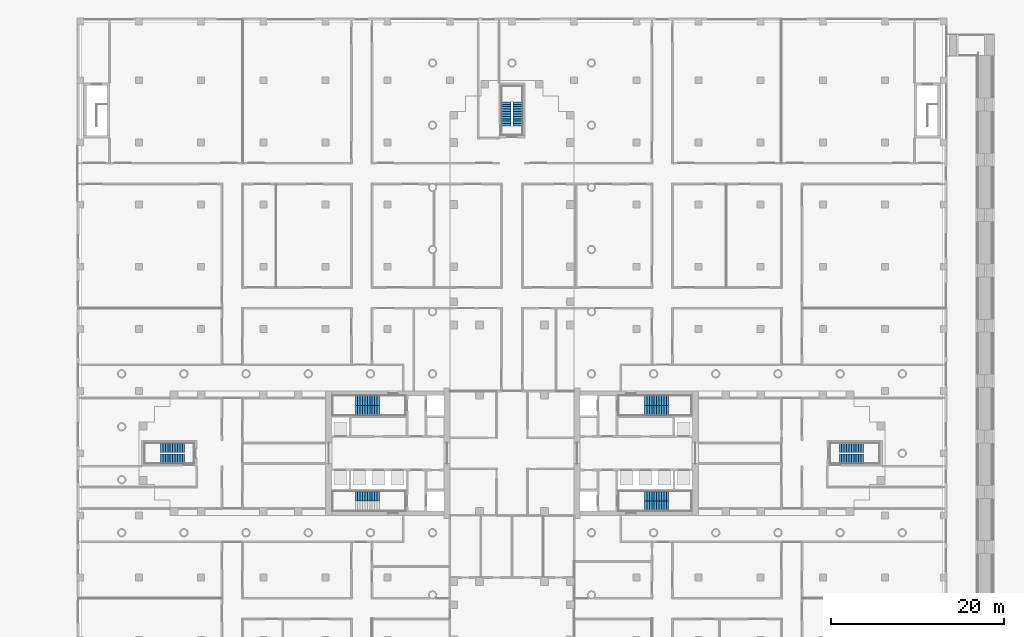
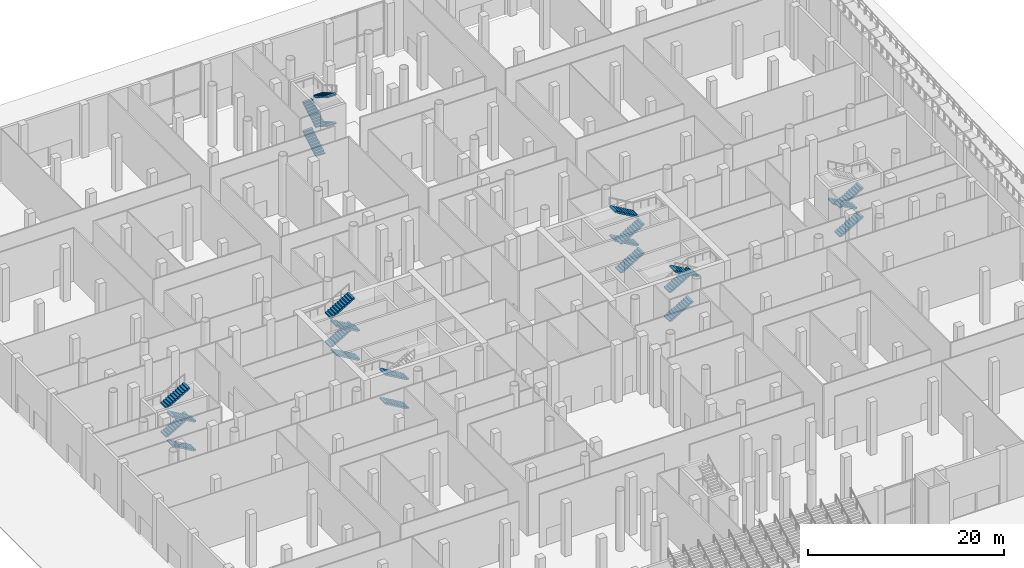
# One storey, part 33 of 44: 24 stair flights, 7 elements without a shape of their own.
"""IFC4 building model written with IfcOpenShell, lengths in metres."""

from ifc_helpers import new_model, si_unit, direction, frame, origin, place, context, subcontext, project, spatial, polyline, outline, extrude, material, type_object, element, aggregate, save


model = new_model("IFC4")

# Units and contexts
model_context = context("Model", 3, precision=1e-05, world=origin(), true_north=direction((0.0, 1.0)))
body_context = subcontext(model_context, "Body", "Model", "MODEL_VIEW")
ifc_project = project(units=[si_unit("LENGTHUNIT", "METRE"), si_unit("AREAUNIT", "SQUARE_METRE"), si_unit("VOLUMEUNIT", "CUBIC_METRE"), si_unit("PLANEANGLEUNIT", "RADIAN"), si_unit("MASSUNIT", "GRAM", prefix="KILO")], contexts=[model_context])

# Site, building, storey
site_placement = place(None, origin())
site = spatial("IfcSite", under=ifc_project, at=site_placement, CompositionType="ELEMENT")
building_placement = place(site_placement, origin())
building = spatial("IfcBuilding", under=site, at=building_placement, Name="Fustian Cross Tower", CompositionType="ELEMENT")
storey_placement = place(building_placement, origin())
storey = spatial("IfcBuildingStorey", under=building, at=storey_placement, Name="L00", CompositionType="ELEMENT", Elevation=0.0)

# Stair, stair flights
ifc_material_1 = material(Name="Concrete C50/60", Category="concrete")
stair_type_1 = type_object("IfcStairType", Name="STAIR 1100 HALF TURN", PredefinedType="HALF_TURN_STAIR", material=ifc_material_1)
stair_1_placement = place(storey_placement, origin())
stair_1 = element("IfcStair", 1, at=stair_1_placement, inside=storey, type_object=stair_type_1, Name="Stair ST5", PredefinedType="HALF_TURN_STAIR")
ifc_material_2 = material(Name="Concrete C50/60", Category="concrete")
stair_flight_type_1 = type_object("IfcStairFlightType", Name="STAIR FLIGHT 1100", PredefinedType="STRAIGHT", material=ifc_material_2)
stair_flight_1_placement = place(storey_placement, frame((-0.64990234375, 37.89990234375, 0.0), z_axis=(0.0, 0.0, 1.0), x_axis=(0.0, 1.0, 0.0)))
stair_flight_1 = element("IfcStairFlight", 2, at=stair_flight_1_placement, type_object=stair_flight_type_1, Name="ST5 flight 1", NumberOfRisers=11, NumberOfTreads=10, PredefinedType="STRAIGHT", RiserHeight=0.163636364, TreadLength=0.28, context=body_context, shape_type="SweptSolid", body=[
    extrude(outline(polyline([(0.0, 0.0), (0.0, 0.16357421875), (0.280029296875, 0.16357421875), (0.280029296875, 0.327392578125), (0.56005859375, 0.327392578125), (0.56005859375, 0.490966796875), (0.840087890625, 0.490966796875), (0.840087890625, 0.654541015625), (1.1201171875, 0.654541015625), (1.1201171875, 0.818115234375), (1.39990234375, 0.818115234375), (1.39990234375, 0.98193359375), (1.679931640625, 0.98193359375), (1.679931640625, 1.1455078125), (1.9599609375, 1.1455078125), (1.9599609375, 1.30908203125), (2.239990234375, 1.30908203125), (2.239990234375, 1.47265625), (2.52001953125, 1.47265625), (2.52001953125, 1.636474609375), (2.800048828125, 1.636474609375), (2.800048828125, 1.800048828125), (2.800048828125, 1.462646484375), (0.297119140625, 0.0), (0.0, 0.0)])), frame((0.0, 0.550048828125, 0.0), z_axis=(0.0, -1.0, 0.0), x_axis=(1.0, 0.0, 0.0)), (0.0, 0.0, 1.0), 1.10009765625),
])
stair_flight_2_placement = place(storey_placement, frame((0.64990234375, 40.699951171875, 1.800048828125), z_axis=(0.0, 0.0, 1.0), x_axis=(0.0, -1.0, 0.0)))
stair_flight_2 = element("IfcStairFlight", 3, at=stair_flight_2_placement, type_object=stair_flight_type_1, Name="ST5 flight 2", NumberOfRisers=11, NumberOfTreads=10, PredefinedType="STRAIGHT", RiserHeight=0.163636364, TreadLength=0.28, context=body_context, shape_type="SweptSolid", body=[
    extrude(outline(polyline([(0.0, 0.0), (0.0, 0.16357421875), (0.280029296875, 0.16357421875), (0.280029296875, 0.327392578125), (0.56005859375, 0.327392578125), (0.56005859375, 0.490966796875), (0.840087890625, 0.490966796875), (0.840087890625, 0.654541015625), (1.1201171875, 0.654541015625), (1.1201171875, 0.818115234375), (1.39990234375, 0.818115234375), (1.39990234375, 0.98193359375), (1.679931640625, 0.98193359375), (1.679931640625, 1.1455078125), (1.9599609375, 1.1455078125), (1.9599609375, 1.30908203125), (2.239990234375, 1.30908203125), (2.239990234375, 1.47265625), (2.52001953125, 1.47265625), (2.52001953125, 1.636474609375), (2.800048828125, 1.636474609375), (2.800048828125, 1.800048828125), (2.800048828125, 1.462646484375), (0.297119140625, 0.0), (0.0, 0.0)])), frame((0.0, 0.550048828125, 0.0), z_axis=(0.0, -1.0, 0.0), x_axis=(1.0, 0.0, 0.0)), (0.0, 0.0, 1.0), 1.10009765625),
])
stair_flight_3_placement = place(storey_placement, frame((-0.64990234375, 37.89990234375, 3.60009765625), z_axis=(0.0, 0.0, 1.0), x_axis=(0.0, 1.0, 0.0)))
stair_flight_3 = element("IfcStairFlight", 4, at=stair_flight_3_placement, type_object=stair_flight_type_1, Name="ST5 flight 3", NumberOfRisers=11, NumberOfTreads=10, PredefinedType="STRAIGHT", RiserHeight=0.163636364, TreadLength=0.28, context=body_context, shape_type="SweptSolid", body=[
    extrude(outline(polyline([(0.0, 0.0), (0.0, 0.16357421875), (0.280029296875, 0.16357421875), (0.280029296875, 0.327392578125), (0.56005859375, 0.327392578125), (0.56005859375, 0.490966796875), (0.840087890625, 0.490966796875), (0.840087890625, 0.654541015625), (1.1201171875, 0.654541015625), (1.1201171875, 0.818115234375), (1.39990234375, 0.818115234375), (1.39990234375, 0.98193359375), (1.679931640625, 0.98193359375), (1.679931640625, 1.1455078125), (1.9599609375, 1.1455078125), (1.9599609375, 1.30908203125), (2.239990234375, 1.30908203125), (2.239990234375, 1.47265625), (2.52001953125, 1.47265625), (2.52001953125, 1.636474609375), (2.800048828125, 1.636474609375), (2.800048828125, 1.800048828125), (2.800048828125, 1.462646484375), (0.297119140625, 0.0), (0.0, 0.0)])), frame((0.0, 0.550048828125, 0.0), z_axis=(0.0, -1.0, 0.0), x_axis=(1.0, 0.0, 0.0)), (0.0, 0.0, 1.0), 1.10009765625),
])
stair_flight_4_placement = place(storey_placement, frame((0.64990234375, 40.699951171875, 5.39990234375), z_axis=(0.0, 0.0, 1.0), x_axis=(0.0, -1.0, 0.0)))
stair_flight_4 = element("IfcStairFlight", 5, at=stair_flight_4_placement, type_object=stair_flight_type_1, Name="ST5 flight 4", NumberOfRisers=11, NumberOfTreads=10, PredefinedType="STRAIGHT", RiserHeight=0.163636364, TreadLength=0.28, context=body_context, shape_type="SweptSolid", body=[
    extrude(outline(polyline([(0.0, 0.0), (0.0, 0.16357421875), (0.280029296875, 0.16357421875), (0.280029296875, 0.327392578125), (0.56005859375, 0.327392578125), (0.56005859375, 0.490966796875), (0.840087890625, 0.490966796875), (0.840087890625, 0.654541015625), (1.1201171875, 0.654541015625), (1.1201171875, 0.818115234375), (1.39990234375, 0.818115234375), (1.39990234375, 0.98193359375), (1.679931640625, 0.98193359375), (1.679931640625, 1.1455078125), (1.9599609375, 1.1455078125), (1.9599609375, 1.30908203125), (2.239990234375, 1.30908203125), (2.239990234375, 1.47265625), (2.52001953125, 1.47265625), (2.52001953125, 1.636474609375), (2.800048828125, 1.636474609375), (2.800048828125, 1.800048828125), (2.800048828125, 1.462646484375), (0.297119140625, 0.0), (0.0, 0.0)])), frame((0.0, 0.550048828125, 0.0), z_axis=(0.0, -1.0, 0.0), x_axis=(1.0, 0.0, 0.0)), (0.0, 0.0, 1.0), 1.10009765625),
])
aggregate(stair_1, [stair_flight_1, stair_flight_2, stair_flight_3, stair_flight_4])

stair_2_placement = place(storey_placement, origin())
stair_2 = element("IfcStair", 6, at=stair_2_placement, inside=storey, type_object=stair_type_1, Name="Stair ST8", PredefinedType="HALF_TURN_STAIR")
stair_flight_5_placement = place(storey_placement, frame((37.89990234375, -0.64990234375, 0.0), z_axis=(0.0, 0.0, 1.0), x_axis=(1.0, 0.0, 0.0)))
stair_flight_5 = element("IfcStairFlight", 7, at=stair_flight_5_placement, type_object=stair_flight_type_1, Name="ST8 flight 1", NumberOfRisers=11, NumberOfTreads=10, PredefinedType="STRAIGHT", RiserHeight=0.163636364, TreadLength=0.28, context=body_context, shape_type="SweptSolid", body=[
    extrude(outline(polyline([(0.0, 0.0), (0.0, 0.16357421875), (0.280029296875, 0.16357421875), (0.280029296875, 0.327392578125), (0.56005859375, 0.327392578125), (0.56005859375, 0.490966796875), (0.840087890625, 0.490966796875), (0.840087890625, 0.654541015625), (1.1201171875, 0.654541015625), (1.1201171875, 0.818115234375), (1.39990234375, 0.818115234375), (1.39990234375, 0.98193359375), (1.679931640625, 0.98193359375), (1.679931640625, 1.1455078125), (1.9599609375, 1.1455078125), (1.9599609375, 1.30908203125), (2.239990234375, 1.30908203125), (2.239990234375, 1.47265625), (2.52001953125, 1.47265625), (2.52001953125, 1.636474609375), (2.800048828125, 1.636474609375), (2.800048828125, 1.800048828125), (2.800048828125, 1.462646484375), (0.297119140625, 0.0), (0.0, 0.0)])), frame((0.0, 0.550048828125, 0.0), z_axis=(0.0, -1.0, 0.0), x_axis=(1.0, 0.0, 0.0)), (0.0, 0.0, 1.0), 1.10009765625),
])
stair_flight_6_placement = place(storey_placement, frame((40.699951171875, 0.64990234375, 1.800048828125), z_axis=(0.0, 0.0, 1.0), x_axis=(-1.0, 0.0, 0.0)))
stair_flight_6 = element("IfcStairFlight", 8, at=stair_flight_6_placement, type_object=stair_flight_type_1, Name="ST8 flight 2", NumberOfRisers=11, NumberOfTreads=10, PredefinedType="STRAIGHT", RiserHeight=0.163636364, TreadLength=0.28, context=body_context, shape_type="SweptSolid", body=[
    extrude(outline(polyline([(0.0, 0.0), (0.0, 0.16357421875), (0.280029296875, 0.16357421875), (0.280029296875, 0.327392578125), (0.56005859375, 0.327392578125), (0.56005859375, 0.490966796875), (0.840087890625, 0.490966796875), (0.840087890625, 0.654541015625), (1.1201171875, 0.654541015625), (1.1201171875, 0.818115234375), (1.39990234375, 0.818115234375), (1.39990234375, 0.98193359375), (1.679931640625, 0.98193359375), (1.679931640625, 1.1455078125), (1.9599609375, 1.1455078125), (1.9599609375, 1.30908203125), (2.239990234375, 1.30908203125), (2.239990234375, 1.47265625), (2.52001953125, 1.47265625), (2.52001953125, 1.636474609375), (2.800048828125, 1.636474609375), (2.800048828125, 1.800048828125), (2.800048828125, 1.462646484375), (0.297119140625, 0.0), (0.0, 0.0)])), frame((0.0, 0.550048828125, 0.0), z_axis=(0.0, -1.0, 0.0), x_axis=(1.0, 0.0, 0.0)), (0.0, 0.0, 1.0), 1.10009765625),
])
stair_flight_7_placement = place(storey_placement, frame((37.89990234375, -0.64990234375, 3.60009765625), z_axis=(0.0, 0.0, 1.0), x_axis=(1.0, 0.0, 0.0)))
stair_flight_7 = element("IfcStairFlight", 9, at=stair_flight_7_placement, type_object=stair_flight_type_1, Name="ST8 flight 3", NumberOfRisers=11, NumberOfTreads=10, PredefinedType="STRAIGHT", RiserHeight=0.163636364, TreadLength=0.28, context=body_context, shape_type="SweptSolid", body=[
    extrude(outline(polyline([(0.0, 0.0), (0.0, 0.16357421875), (0.280029296875, 0.16357421875), (0.280029296875, 0.327392578125), (0.56005859375, 0.327392578125), (0.56005859375, 0.490966796875), (0.840087890625, 0.490966796875), (0.840087890625, 0.654541015625), (1.1201171875, 0.654541015625), (1.1201171875, 0.818115234375), (1.39990234375, 0.818115234375), (1.39990234375, 0.98193359375), (1.679931640625, 0.98193359375), (1.679931640625, 1.1455078125), (1.9599609375, 1.1455078125), (1.9599609375, 1.30908203125), (2.239990234375, 1.30908203125), (2.239990234375, 1.47265625), (2.52001953125, 1.47265625), (2.52001953125, 1.636474609375), (2.800048828125, 1.636474609375), (2.800048828125, 1.800048828125), (2.800048828125, 1.462646484375), (0.297119140625, 0.0), (0.0, 0.0)])), frame((0.0, 0.550048828125, 0.0), z_axis=(0.0, -1.0, 0.0), x_axis=(1.0, 0.0, 0.0)), (0.0, 0.0, 1.0), 1.10009765625),
])
aggregate(stair_2, [stair_flight_5, stair_flight_6, stair_flight_7])

stair_3_placement = place(storey_placement, origin())
stair_3 = element("IfcStair", 10, at=stair_3_placement, inside=storey, type_object=stair_type_1, Name="Stair ST9", PredefinedType="HALF_TURN_STAIR")
stair_flight_8_placement = place(storey_placement, frame((-37.89990234375, -0.64990234375, 0.0), z_axis=(0.0, 0.0, 1.0), x_axis=(-1.0, 0.0, 0.0)))
stair_flight_8 = element("IfcStairFlight", 11, at=stair_flight_8_placement, type_object=stair_flight_type_1, Name="ST9 flight 1", NumberOfRisers=11, NumberOfTreads=10, PredefinedType="STRAIGHT", RiserHeight=0.163636364, TreadLength=0.28, context=body_context, shape_type="SweptSolid", body=[
    extrude(outline(polyline([(0.0, 0.0), (0.0, 0.16357421875), (0.280029296875, 0.16357421875), (0.280029296875, 0.327392578125), (0.56005859375, 0.327392578125), (0.56005859375, 0.490966796875), (0.840087890625, 0.490966796875), (0.840087890625, 0.654541015625), (1.1201171875, 0.654541015625), (1.1201171875, 0.818115234375), (1.39990234375, 0.818115234375), (1.39990234375, 0.98193359375), (1.679931640625, 0.98193359375), (1.679931640625, 1.1455078125), (1.9599609375, 1.1455078125), (1.9599609375, 1.30908203125), (2.239990234375, 1.30908203125), (2.239990234375, 1.47265625), (2.52001953125, 1.47265625), (2.52001953125, 1.636474609375), (2.800048828125, 1.636474609375), (2.800048828125, 1.800048828125), (2.800048828125, 1.462646484375), (0.297119140625, 0.0), (0.0, 0.0)])), frame((0.0, 0.550048828125, 0.0), z_axis=(0.0, -1.0, 0.0), x_axis=(1.0, 0.0, 0.0)), (0.0, 0.0, 1.0), 1.10009765625),
])
stair_flight_9_placement = place(storey_placement, frame((-40.699951171875, 0.64990234375, 1.800048828125), z_axis=(0.0, 0.0, 1.0), x_axis=(1.0, 0.0, 0.0)))
stair_flight_9 = element("IfcStairFlight", 12, at=stair_flight_9_placement, type_object=stair_flight_type_1, Name="ST9 flight 2", NumberOfRisers=11, NumberOfTreads=10, PredefinedType="STRAIGHT", RiserHeight=0.163636364, TreadLength=0.28, context=body_context, shape_type="SweptSolid", body=[
    extrude(outline(polyline([(0.0, 0.0), (0.0, 0.16357421875), (0.280029296875, 0.16357421875), (0.280029296875, 0.327392578125), (0.56005859375, 0.327392578125), (0.56005859375, 0.490966796875), (0.840087890625, 0.490966796875), (0.840087890625, 0.654541015625), (1.1201171875, 0.654541015625), (1.1201171875, 0.818115234375), (1.39990234375, 0.818115234375), (1.39990234375, 0.98193359375), (1.679931640625, 0.98193359375), (1.679931640625, 1.1455078125), (1.9599609375, 1.1455078125), (1.9599609375, 1.30908203125), (2.239990234375, 1.30908203125), (2.239990234375, 1.47265625), (2.52001953125, 1.47265625), (2.52001953125, 1.636474609375), (2.800048828125, 1.636474609375), (2.800048828125, 1.800048828125), (2.800048828125, 1.462646484375), (0.297119140625, 0.0), (0.0, 0.0)])), frame((0.0, 0.550048828125, 0.0), z_axis=(0.0, -1.0, 0.0), x_axis=(1.0, 0.0, 0.0)), (0.0, 0.0, 1.0), 1.10009765625),
])
stair_flight_10_placement = place(storey_placement, frame((-37.89990234375, -0.64990234375, 3.60009765625), z_axis=(0.0, 0.0, 1.0), x_axis=(-1.0, 0.0, 0.0)))
stair_flight_10 = element("IfcStairFlight", 13, at=stair_flight_10_placement, type_object=stair_flight_type_1, Name="ST9 flight 3", NumberOfRisers=11, NumberOfTreads=10, PredefinedType="STRAIGHT", RiserHeight=0.163636364, TreadLength=0.28, context=body_context, shape_type="SweptSolid", body=[
    extrude(outline(polyline([(0.0, 0.0), (0.0, 0.16357421875), (0.280029296875, 0.16357421875), (0.280029296875, 0.327392578125), (0.56005859375, 0.327392578125), (0.56005859375, 0.490966796875), (0.840087890625, 0.490966796875), (0.840087890625, 0.654541015625), (1.1201171875, 0.654541015625), (1.1201171875, 0.818115234375), (1.39990234375, 0.818115234375), (1.39990234375, 0.98193359375), (1.679931640625, 0.98193359375), (1.679931640625, 1.1455078125), (1.9599609375, 1.1455078125), (1.9599609375, 1.30908203125), (2.239990234375, 1.30908203125), (2.239990234375, 1.47265625), (2.52001953125, 1.47265625), (2.52001953125, 1.636474609375), (2.800048828125, 1.636474609375), (2.800048828125, 1.800048828125), (2.800048828125, 1.462646484375), (0.297119140625, 0.0), (0.0, 0.0)])), frame((0.0, 0.550048828125, 0.0), z_axis=(0.0, -1.0, 0.0), x_axis=(1.0, 0.0, 0.0)), (0.0, 0.0, 1.0), 1.10009765625),
])
stair_flight_11_placement = place(storey_placement, frame((-40.699951171875, 0.64990234375, 5.39990234375), z_axis=(0.0, 0.0, 1.0), x_axis=(1.0, 0.0, 0.0)))
stair_flight_11 = element("IfcStairFlight", 14, at=stair_flight_11_placement, type_object=stair_flight_type_1, Name="ST9 flight 4", NumberOfRisers=11, NumberOfTreads=10, PredefinedType="STRAIGHT", RiserHeight=0.163636364, TreadLength=0.28, context=body_context, shape_type="SweptSolid", body=[
    extrude(outline(polyline([(0.0, 0.0), (0.0, 0.16357421875), (0.280029296875, 0.16357421875), (0.280029296875, 0.327392578125), (0.56005859375, 0.327392578125), (0.56005859375, 0.490966796875), (0.840087890625, 0.490966796875), (0.840087890625, 0.654541015625), (1.1201171875, 0.654541015625), (1.1201171875, 0.818115234375), (1.39990234375, 0.818115234375), (1.39990234375, 0.98193359375), (1.679931640625, 0.98193359375), (1.679931640625, 1.1455078125), (1.9599609375, 1.1455078125), (1.9599609375, 1.30908203125), (2.239990234375, 1.30908203125), (2.239990234375, 1.47265625), (2.52001953125, 1.47265625), (2.52001953125, 1.636474609375), (2.800048828125, 1.636474609375), (2.800048828125, 1.800048828125), (2.800048828125, 1.462646484375), (0.297119140625, 0.0), (0.0, 0.0)])), frame((0.0, 0.550048828125, 0.0), z_axis=(0.0, -1.0, 0.0), x_axis=(1.0, 0.0, 0.0)), (0.0, 0.0, 1.0), 1.10009765625),
])
aggregate(stair_3, [stair_flight_8, stair_flight_9, stair_flight_10, stair_flight_11])

ifc_material_3 = material(Name="Concrete C50/60", Category="concrete")
stair_type_2 = type_object("IfcStairType", Name="STAIR 1150 HALF TURN", PredefinedType="HALF_TURN_STAIR", material=ifc_material_3)
stair_4_placement = place(storey_placement, origin())
stair_4 = element("IfcStair", 15, at=stair_4_placement, inside=storey, type_object=stair_type_2, Name="Stair ST1", PredefinedType="HALF_TURN_STAIR")
ifc_material_4 = material(Name="Concrete C50/60", Category="concrete")
stair_flight_type_2 = type_object("IfcStairFlightType", Name="STAIR FLIGHT 1150", PredefinedType="STRAIGHT", material=ifc_material_4)
stair_flight_12_placement = place(storey_placement, frame((15.35009765625, 4.97509765625, 0.0), z_axis=(0.0, 0.0, 1.0), x_axis=(1.0, 0.0, 0.0)))
stair_flight_12 = element("IfcStairFlight", 16, at=stair_flight_12_placement, type_object=stair_flight_type_2, Name="ST1 flight 1", NumberOfRisers=11, NumberOfTreads=10, PredefinedType="STRAIGHT", RiserHeight=0.163636364, TreadLength=0.28, context=body_context, shape_type="SweptSolid", body=[
    extrude(outline(polyline([(0.0, 0.0), (0.0, 0.16357421875), (0.280029296875, 0.16357421875), (0.280029296875, 0.327392578125), (0.56005859375, 0.327392578125), (0.56005859375, 0.490966796875), (0.840087890625, 0.490966796875), (0.840087890625, 0.654541015625), (1.1201171875, 0.654541015625), (1.1201171875, 0.818115234375), (1.39990234375, 0.818115234375), (1.39990234375, 0.98193359375), (1.679931640625, 0.98193359375), (1.679931640625, 1.1455078125), (1.9599609375, 1.1455078125), (1.9599609375, 1.30908203125), (2.239990234375, 1.30908203125), (2.239990234375, 1.47265625), (2.52001953125, 1.47265625), (2.52001953125, 1.636474609375), (2.800048828125, 1.636474609375), (2.800048828125, 1.800048828125), (2.800048828125, 1.462646484375), (0.297119140625, 0.0), (0.0, 0.0)])), frame((0.0, 0.574951171875, 0.0), z_axis=(0.0, -1.0, 0.0), x_axis=(1.0, 0.0, 0.0)), (0.0, 0.0, 1.0), 1.14990234375),
])
stair_flight_13_placement = place(storey_placement, frame((18.14990234375, 6.125, 1.800048828125), z_axis=(0.0, 0.0, 1.0), x_axis=(-1.0, 0.0, 0.0)))
stair_flight_13 = element("IfcStairFlight", 17, at=stair_flight_13_placement, type_object=stair_flight_type_2, Name="ST1 flight 2", NumberOfRisers=11, NumberOfTreads=10, PredefinedType="STRAIGHT", RiserHeight=0.163636364, TreadLength=0.28, context=body_context, shape_type="SweptSolid", body=[
    extrude(outline(polyline([(0.0, 0.0), (0.0, 0.16357421875), (0.280029296875, 0.16357421875), (0.280029296875, 0.327392578125), (0.56005859375, 0.327392578125), (0.56005859375, 0.490966796875), (0.840087890625, 0.490966796875), (0.840087890625, 0.654541015625), (1.1201171875, 0.654541015625), (1.1201171875, 0.818115234375), (1.39990234375, 0.818115234375), (1.39990234375, 0.98193359375), (1.679931640625, 0.98193359375), (1.679931640625, 1.1455078125), (1.9599609375, 1.1455078125), (1.9599609375, 1.30908203125), (2.239990234375, 1.30908203125), (2.239990234375, 1.47265625), (2.52001953125, 1.47265625), (2.52001953125, 1.636474609375), (2.800048828125, 1.636474609375), (2.800048828125, 1.800048828125), (2.800048828125, 1.462646484375), (0.297119140625, 0.0), (0.0, 0.0)])), frame((0.0, 0.574951171875, 0.0), z_axis=(0.0, -1.0, 0.0), x_axis=(1.0, 0.0, 0.0)), (0.0, 0.0, 1.0), 1.14990234375),
])
stair_flight_14_placement = place(storey_placement, frame((15.35009765625, 4.97509765625, 3.60009765625), z_axis=(0.0, 0.0, 1.0), x_axis=(1.0, 0.0, 0.0)))
stair_flight_14 = element("IfcStairFlight", 18, at=stair_flight_14_placement, type_object=stair_flight_type_2, Name="ST1 flight 3", NumberOfRisers=11, NumberOfTreads=10, PredefinedType="STRAIGHT", RiserHeight=0.163636364, TreadLength=0.28, context=body_context, shape_type="SweptSolid", body=[
    extrude(outline(polyline([(0.0, 0.0), (0.0, 0.16357421875), (0.280029296875, 0.16357421875), (0.280029296875, 0.327392578125), (0.56005859375, 0.327392578125), (0.56005859375, 0.490966796875), (0.840087890625, 0.490966796875), (0.840087890625, 0.654541015625), (1.1201171875, 0.654541015625), (1.1201171875, 0.818115234375), (1.39990234375, 0.818115234375), (1.39990234375, 0.98193359375), (1.679931640625, 0.98193359375), (1.679931640625, 1.1455078125), (1.9599609375, 1.1455078125), (1.9599609375, 1.30908203125), (2.239990234375, 1.30908203125), (2.239990234375, 1.47265625), (2.52001953125, 1.47265625), (2.52001953125, 1.636474609375), (2.800048828125, 1.636474609375), (2.800048828125, 1.800048828125), (2.800048828125, 1.462646484375), (0.297119140625, 0.0), (0.0, 0.0)])), frame((0.0, 0.574951171875, 0.0), z_axis=(0.0, -1.0, 0.0), x_axis=(1.0, 0.0, 0.0)), (0.0, 0.0, 1.0), 1.14990234375),
])
stair_flight_15_placement = place(storey_placement, frame((18.14990234375, 6.125, 5.39990234375), z_axis=(0.0, 0.0, 1.0), x_axis=(-1.0, 0.0, 0.0)))
stair_flight_15 = element("IfcStairFlight", 19, at=stair_flight_15_placement, type_object=stair_flight_type_2, Name="ST1 flight 4", NumberOfRisers=11, NumberOfTreads=10, PredefinedType="STRAIGHT", RiserHeight=0.163636364, TreadLength=0.28, context=body_context, shape_type="SweptSolid", body=[
    extrude(outline(polyline([(0.0, 0.0), (0.0, 0.16357421875), (0.280029296875, 0.16357421875), (0.280029296875, 0.327392578125), (0.56005859375, 0.327392578125), (0.56005859375, 0.490966796875), (0.840087890625, 0.490966796875), (0.840087890625, 0.654541015625), (1.1201171875, 0.654541015625), (1.1201171875, 0.818115234375), (1.39990234375, 0.818115234375), (1.39990234375, 0.98193359375), (1.679931640625, 0.98193359375), (1.679931640625, 1.1455078125), (1.9599609375, 1.1455078125), (1.9599609375, 1.30908203125), (2.239990234375, 1.30908203125), (2.239990234375, 1.47265625), (2.52001953125, 1.47265625), (2.52001953125, 1.636474609375), (2.800048828125, 1.636474609375), (2.800048828125, 1.800048828125), (2.800048828125, 1.462646484375), (0.297119140625, 0.0), (0.0, 0.0)])), frame((0.0, 0.574951171875, 0.0), z_axis=(0.0, -1.0, 0.0), x_axis=(1.0, 0.0, 0.0)), (0.0, 0.0, 1.0), 1.14990234375),
])
aggregate(stair_4, [stair_flight_12, stair_flight_13, stair_flight_14, stair_flight_15])

stair_5_placement = place(storey_placement, origin())
stair_5 = element("IfcStair", 20, at=stair_5_placement, inside=storey, type_object=stair_type_2, Name="Stair ST2", PredefinedType="HALF_TURN_STAIR")
stair_flight_16_placement = place(storey_placement, frame((15.35009765625, -4.97509765625, 0.0), z_axis=(0.0, 0.0, 1.0), x_axis=(1.0, 0.0, 0.0)))
stair_flight_16 = element("IfcStairFlight", 21, at=stair_flight_16_placement, type_object=stair_flight_type_2, Name="ST2 flight 1", NumberOfRisers=11, NumberOfTreads=10, PredefinedType="STRAIGHT", RiserHeight=0.163636364, TreadLength=0.28, context=body_context, shape_type="SweptSolid", body=[
    extrude(outline(polyline([(0.0, 0.0), (0.0, 0.16357421875), (0.280029296875, 0.16357421875), (0.280029296875, 0.327392578125), (0.56005859375, 0.327392578125), (0.56005859375, 0.490966796875), (0.840087890625, 0.490966796875), (0.840087890625, 0.654541015625), (1.1201171875, 0.654541015625), (1.1201171875, 0.818115234375), (1.39990234375, 0.818115234375), (1.39990234375, 0.98193359375), (1.679931640625, 0.98193359375), (1.679931640625, 1.1455078125), (1.9599609375, 1.1455078125), (1.9599609375, 1.30908203125), (2.239990234375, 1.30908203125), (2.239990234375, 1.47265625), (2.52001953125, 1.47265625), (2.52001953125, 1.636474609375), (2.800048828125, 1.636474609375), (2.800048828125, 1.800048828125), (2.800048828125, 1.462646484375), (0.297119140625, 0.0), (0.0, 0.0)])), frame((0.0, 0.574951171875, 0.0), z_axis=(0.0, -1.0, 0.0), x_axis=(1.0, 0.0, 0.0)), (0.0, 0.0, 1.0), 1.14990234375),
])
stair_flight_17_placement = place(storey_placement, frame((15.35009765625, -4.97509765625, 3.60009765625), z_axis=(0.0, 0.0, 1.0), x_axis=(1.0, 0.0, 0.0)))
stair_flight_17 = element("IfcStairFlight", 22, at=stair_flight_17_placement, type_object=stair_flight_type_2, Name="ST2 flight 3", NumberOfRisers=11, NumberOfTreads=10, PredefinedType="STRAIGHT", RiserHeight=0.163636364, TreadLength=0.28, context=body_context, shape_type="SweptSolid", body=[
    extrude(outline(polyline([(0.0, 0.0), (0.0, 0.16357421875), (0.280029296875, 0.16357421875), (0.280029296875, 0.327392578125), (0.56005859375, 0.327392578125), (0.56005859375, 0.490966796875), (0.840087890625, 0.490966796875), (0.840087890625, 0.654541015625), (1.1201171875, 0.654541015625), (1.1201171875, 0.818115234375), (1.39990234375, 0.818115234375), (1.39990234375, 0.98193359375), (1.679931640625, 0.98193359375), (1.679931640625, 1.1455078125), (1.9599609375, 1.1455078125), (1.9599609375, 1.30908203125), (2.239990234375, 1.30908203125), (2.239990234375, 1.47265625), (2.52001953125, 1.47265625), (2.52001953125, 1.636474609375), (2.800048828125, 1.636474609375), (2.800048828125, 1.800048828125), (2.800048828125, 1.462646484375), (0.297119140625, 0.0), (0.0, 0.0)])), frame((0.0, 0.574951171875, 0.0), z_axis=(0.0, -1.0, 0.0), x_axis=(1.0, 0.0, 0.0)), (0.0, 0.0, 1.0), 1.14990234375),
])
stair_flight_18_placement = place(storey_placement, frame((18.14990234375, -6.125, 5.39990234375), z_axis=(0.0, 0.0, 1.0), x_axis=(-1.0, 0.0, 0.0)))
stair_flight_18 = element("IfcStairFlight", 23, at=stair_flight_18_placement, type_object=stair_flight_type_2, Name="ST2 flight 4", NumberOfRisers=11, NumberOfTreads=10, PredefinedType="STRAIGHT", RiserHeight=0.163636364, TreadLength=0.28, context=body_context, shape_type="SweptSolid", body=[
    extrude(outline(polyline([(0.0, 0.0), (0.0, 0.16357421875), (0.280029296875, 0.16357421875), (0.280029296875, 0.327392578125), (0.56005859375, 0.327392578125), (0.56005859375, 0.490966796875), (0.840087890625, 0.490966796875), (0.840087890625, 0.654541015625), (1.1201171875, 0.654541015625), (1.1201171875, 0.818115234375), (1.39990234375, 0.818115234375), (1.39990234375, 0.98193359375), (1.679931640625, 0.98193359375), (1.679931640625, 1.1455078125), (1.9599609375, 1.1455078125), (1.9599609375, 1.30908203125), (2.239990234375, 1.30908203125), (2.239990234375, 1.47265625), (2.52001953125, 1.47265625), (2.52001953125, 1.636474609375), (2.800048828125, 1.636474609375), (2.800048828125, 1.800048828125), (2.800048828125, 1.462646484375), (0.297119140625, 0.0), (0.0, 0.0)])), frame((0.0, 0.574951171875, 0.0), z_axis=(0.0, -1.0, 0.0), x_axis=(1.0, 0.0, 0.0)), (0.0, 0.0, 1.0), 1.14990234375),
])
aggregate(stair_5, [stair_flight_16, stair_flight_17, stair_flight_18])

stair_6_placement = place(storey_placement, origin())
stair_6 = element("IfcStair", 24, at=stair_6_placement, inside=storey, type_object=stair_type_2, Name="Stair ST3", PredefinedType="HALF_TURN_STAIR")
stair_flight_19_placement = place(storey_placement, frame((-15.35009765625, 4.97509765625, 0.0), z_axis=(0.0, 0.0, 1.0), x_axis=(-1.0, 0.0, 0.0)))
stair_flight_19 = element("IfcStairFlight", 25, at=stair_flight_19_placement, type_object=stair_flight_type_2, Name="ST3 flight 1", NumberOfRisers=11, NumberOfTreads=10, PredefinedType="STRAIGHT", RiserHeight=0.163636364, TreadLength=0.28, context=body_context, shape_type="SweptSolid", body=[
    extrude(outline(polyline([(0.0, 0.0), (0.0, 0.16357421875), (0.280029296875, 0.16357421875), (0.280029296875, 0.327392578125), (0.56005859375, 0.327392578125), (0.56005859375, 0.490966796875), (0.840087890625, 0.490966796875), (0.840087890625, 0.654541015625), (1.1201171875, 0.654541015625), (1.1201171875, 0.818115234375), (1.39990234375, 0.818115234375), (1.39990234375, 0.98193359375), (1.679931640625, 0.98193359375), (1.679931640625, 1.1455078125), (1.9599609375, 1.1455078125), (1.9599609375, 1.30908203125), (2.239990234375, 1.30908203125), (2.239990234375, 1.47265625), (2.52001953125, 1.47265625), (2.52001953125, 1.636474609375), (2.800048828125, 1.636474609375), (2.800048828125, 1.800048828125), (2.800048828125, 1.462646484375), (0.297119140625, 0.0), (0.0, 0.0)])), frame((0.0, 0.574951171875, 0.0), z_axis=(0.0, -1.0, 0.0), x_axis=(1.0, 0.0, 0.0)), (0.0, 0.0, 1.0), 1.14990234375),
])
stair_flight_20_placement = place(storey_placement, frame((-18.14990234375, 6.125, 1.800048828125), z_axis=(0.0, 0.0, 1.0), x_axis=(1.0, 0.0, 0.0)))
stair_flight_20 = element("IfcStairFlight", 26, at=stair_flight_20_placement, type_object=stair_flight_type_2, Name="ST3 flight 2", NumberOfRisers=11, NumberOfTreads=10, PredefinedType="STRAIGHT", RiserHeight=0.163636364, TreadLength=0.28, context=body_context, shape_type="SweptSolid", body=[
    extrude(outline(polyline([(0.0, 0.0), (0.0, 0.16357421875), (0.280029296875, 0.16357421875), (0.280029296875, 0.327392578125), (0.56005859375, 0.327392578125), (0.56005859375, 0.490966796875), (0.840087890625, 0.490966796875), (0.840087890625, 0.654541015625), (1.1201171875, 0.654541015625), (1.1201171875, 0.818115234375), (1.39990234375, 0.818115234375), (1.39990234375, 0.98193359375), (1.679931640625, 0.98193359375), (1.679931640625, 1.1455078125), (1.9599609375, 1.1455078125), (1.9599609375, 1.30908203125), (2.239990234375, 1.30908203125), (2.239990234375, 1.47265625), (2.52001953125, 1.47265625), (2.52001953125, 1.636474609375), (2.800048828125, 1.636474609375), (2.800048828125, 1.800048828125), (2.800048828125, 1.462646484375), (0.297119140625, 0.0), (0.0, 0.0)])), frame((0.0, 0.574951171875, 0.0), z_axis=(0.0, -1.0, 0.0), x_axis=(1.0, 0.0, 0.0)), (0.0, 0.0, 1.0), 1.14990234375),
])
stair_flight_21_placement = place(storey_placement, frame((-15.35009765625, 4.97509765625, 3.60009765625), z_axis=(0.0, 0.0, 1.0), x_axis=(-1.0, 0.0, 0.0)))
stair_flight_21 = element("IfcStairFlight", 27, at=stair_flight_21_placement, type_object=stair_flight_type_2, Name="ST3 flight 3", NumberOfRisers=11, NumberOfTreads=10, PredefinedType="STRAIGHT", RiserHeight=0.163636364, TreadLength=0.28, context=body_context, shape_type="SweptSolid", body=[
    extrude(outline(polyline([(0.0, 0.0), (0.0, 0.16357421875), (0.280029296875, 0.16357421875), (0.280029296875, 0.327392578125), (0.56005859375, 0.327392578125), (0.56005859375, 0.490966796875), (0.840087890625, 0.490966796875), (0.840087890625, 0.654541015625), (1.1201171875, 0.654541015625), (1.1201171875, 0.818115234375), (1.39990234375, 0.818115234375), (1.39990234375, 0.98193359375), (1.679931640625, 0.98193359375), (1.679931640625, 1.1455078125), (1.9599609375, 1.1455078125), (1.9599609375, 1.30908203125), (2.239990234375, 1.30908203125), (2.239990234375, 1.47265625), (2.52001953125, 1.47265625), (2.52001953125, 1.636474609375), (2.800048828125, 1.636474609375), (2.800048828125, 1.800048828125), (2.800048828125, 1.462646484375), (0.297119140625, 0.0), (0.0, 0.0)])), frame((0.0, 0.574951171875, 0.0), z_axis=(0.0, -1.0, 0.0), x_axis=(1.0, 0.0, 0.0)), (0.0, 0.0, 1.0), 1.14990234375),
])
stair_flight_22_placement = place(storey_placement, frame((-18.14990234375, 6.125, 5.39990234375), z_axis=(0.0, 0.0, 1.0), x_axis=(1.0, 0.0, 0.0)))
stair_flight_22 = element("IfcStairFlight", 28, at=stair_flight_22_placement, type_object=stair_flight_type_2, Name="ST3 flight 4", NumberOfRisers=11, NumberOfTreads=10, PredefinedType="STRAIGHT", RiserHeight=0.163636364, TreadLength=0.28, context=body_context, shape_type="SweptSolid", body=[
    extrude(outline(polyline([(0.0, 0.0), (0.0, 0.16357421875), (0.280029296875, 0.16357421875), (0.280029296875, 0.327392578125), (0.56005859375, 0.327392578125), (0.56005859375, 0.490966796875), (0.840087890625, 0.490966796875), (0.840087890625, 0.654541015625), (1.1201171875, 0.654541015625), (1.1201171875, 0.818115234375), (1.39990234375, 0.818115234375), (1.39990234375, 0.98193359375), (1.679931640625, 0.98193359375), (1.679931640625, 1.1455078125), (1.9599609375, 1.1455078125), (1.9599609375, 1.30908203125), (2.239990234375, 1.30908203125), (2.239990234375, 1.47265625), (2.52001953125, 1.47265625), (2.52001953125, 1.636474609375), (2.800048828125, 1.636474609375), (2.800048828125, 1.800048828125), (2.800048828125, 1.462646484375), (0.297119140625, 0.0), (0.0, 0.0)])), frame((0.0, 0.574951171875, 0.0), z_axis=(0.0, -1.0, 0.0), x_axis=(1.0, 0.0, 0.0)), (0.0, 0.0, 1.0), 1.14990234375),
])
aggregate(stair_6, [stair_flight_19, stair_flight_20, stair_flight_21, stair_flight_22])

stair_7_placement = place(storey_placement, origin())
stair_7 = element("IfcStair", 29, at=stair_7_placement, inside=storey, type_object=stair_type_2, Name="Stair ST4", PredefinedType="HALF_TURN_STAIR")
stair_flight_23_placement = place(storey_placement, frame((-15.35009765625, -4.97509765625, 0.0), z_axis=(0.0, 0.0, 1.0), x_axis=(-1.0, 0.0, 0.0)))
stair_flight_23 = element("IfcStairFlight", 30, at=stair_flight_23_placement, type_object=stair_flight_type_2, Name="ST4 flight 1", NumberOfRisers=11, NumberOfTreads=10, PredefinedType="STRAIGHT", RiserHeight=0.163636364, TreadLength=0.28, context=body_context, shape_type="SweptSolid", body=[
    extrude(outline(polyline([(0.0, 0.0), (0.0, 0.16357421875), (0.280029296875, 0.16357421875), (0.280029296875, 0.327392578125), (0.56005859375, 0.327392578125), (0.56005859375, 0.490966796875), (0.840087890625, 0.490966796875), (0.840087890625, 0.654541015625), (1.1201171875, 0.654541015625), (1.1201171875, 0.818115234375), (1.39990234375, 0.818115234375), (1.39990234375, 0.98193359375), (1.679931640625, 0.98193359375), (1.679931640625, 1.1455078125), (1.9599609375, 1.1455078125), (1.9599609375, 1.30908203125), (2.239990234375, 1.30908203125), (2.239990234375, 1.47265625), (2.52001953125, 1.47265625), (2.52001953125, 1.636474609375), (2.800048828125, 1.636474609375), (2.800048828125, 1.800048828125), (2.800048828125, 1.462646484375), (0.297119140625, 0.0), (0.0, 0.0)])), frame((0.0, 0.574951171875, 0.0), z_axis=(0.0, -1.0, 0.0), x_axis=(1.0, 0.0, 0.0)), (0.0, 0.0, 1.0), 1.14990234375),
])
stair_flight_24_placement = place(storey_placement, frame((-15.35009765625, -4.97509765625, 3.60009765625), z_axis=(0.0, 0.0, 1.0), x_axis=(-1.0, 0.0, 0.0)))
stair_flight_24 = element("IfcStairFlight", 31, at=stair_flight_24_placement, type_object=stair_flight_type_2, Name="ST4 flight 3", NumberOfRisers=11, NumberOfTreads=10, PredefinedType="STRAIGHT", RiserHeight=0.163636364, TreadLength=0.28, context=body_context, shape_type="SweptSolid", body=[
    extrude(outline(polyline([(0.0, 0.0), (0.0, 0.16357421875), (0.280029296875, 0.16357421875), (0.280029296875, 0.327392578125), (0.56005859375, 0.327392578125), (0.56005859375, 0.490966796875), (0.840087890625, 0.490966796875), (0.840087890625, 0.654541015625), (1.1201171875, 0.654541015625), (1.1201171875, 0.818115234375), (1.39990234375, 0.818115234375), (1.39990234375, 0.98193359375), (1.679931640625, 0.98193359375), (1.679931640625, 1.1455078125), (1.9599609375, 1.1455078125), (1.9599609375, 1.30908203125), (2.239990234375, 1.30908203125), (2.239990234375, 1.47265625), (2.52001953125, 1.47265625), (2.52001953125, 1.636474609375), (2.800048828125, 1.636474609375), (2.800048828125, 1.800048828125), (2.800048828125, 1.462646484375), (0.297119140625, 0.0), (0.0, 0.0)])), frame((0.0, 0.574951171875, 0.0), z_axis=(0.0, -1.0, 0.0), x_axis=(1.0, 0.0, 0.0)), (0.0, 0.0, 1.0), 1.14990234375),
])
aggregate(stair_7, [stair_flight_23, stair_flight_24])

save(model, "model.ifc")
